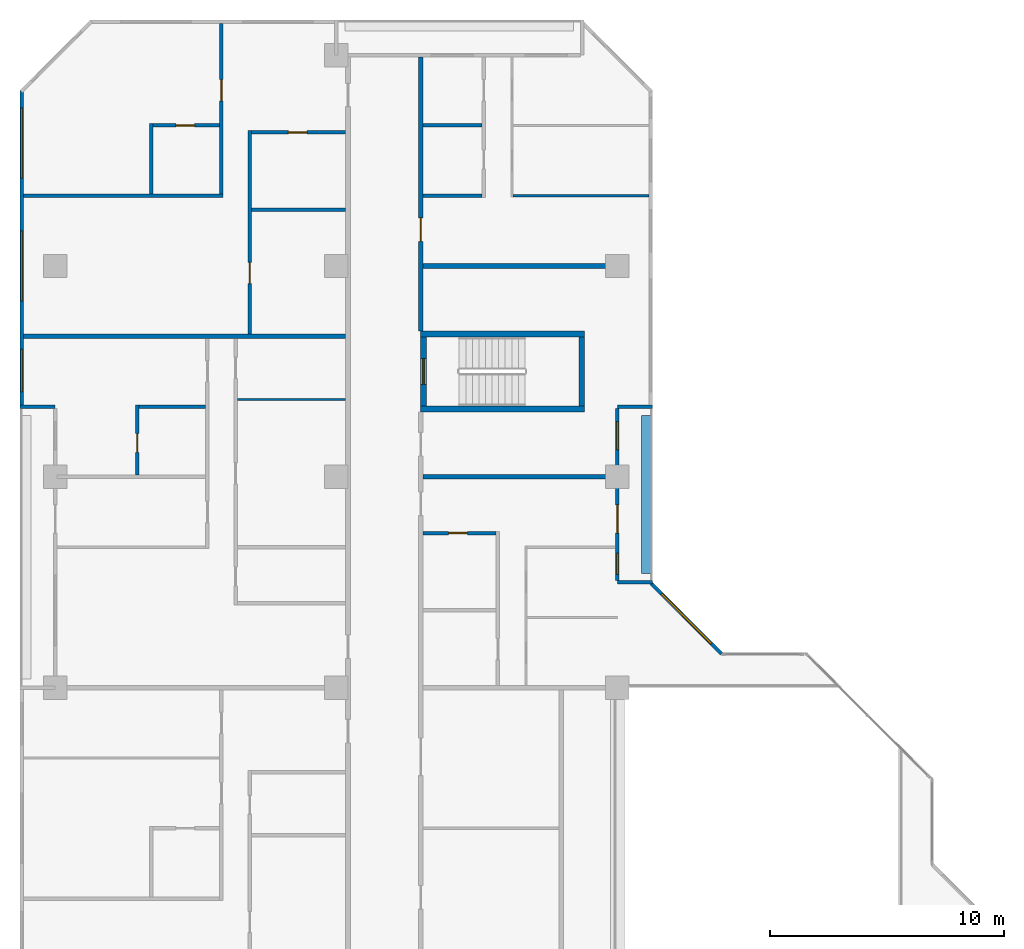
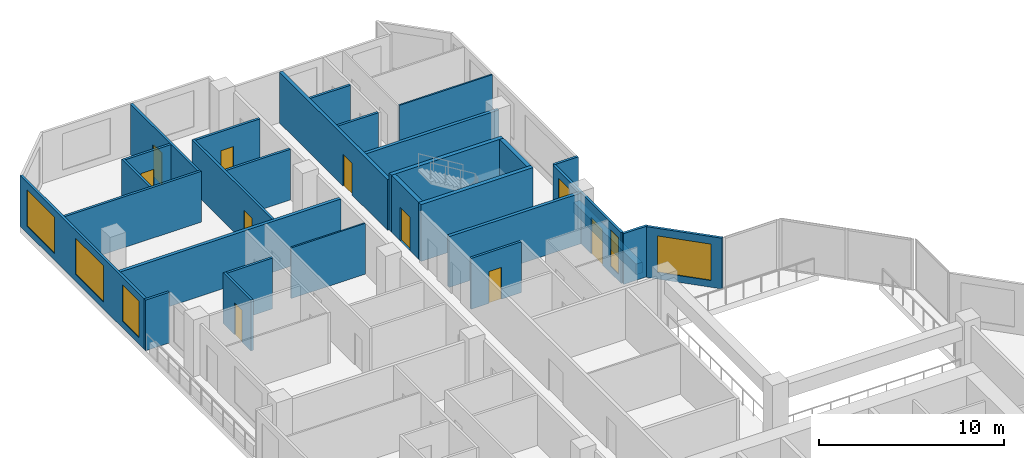
# One storey, part 10 of 15: 29 walls, 9 doors, 6 windows, 15 openings.
"""IFC4 building model written with IfcOpenShell, lengths in metres."""

from ifc_helpers import new_model, si_unit, direction, frame, frame_2d, origin, place, context, subcontext, project, spatial, rectangle, extrude, material, layer, layer_set, type_object, element, fill, save


model = new_model("IFC4")

# Units and contexts
model_context = context("Model", 3, precision=1e-05, world=origin(), true_north=direction((0.0, 1.0)))
body_context = subcontext(model_context, "Body", "Model", "MODEL_VIEW")
ifc_project = project(units=[si_unit("LENGTHUNIT", "METRE"), si_unit("AREAUNIT", "SQUARE_METRE"), si_unit("VOLUMEUNIT", "CUBIC_METRE"), si_unit("PLANEANGLEUNIT", "RADIAN"), si_unit("MASSUNIT", "GRAM", prefix="KILO")], contexts=[model_context])

# Site, building, storey
site_placement = place(None, origin())
site = spatial("IfcSite", under=ifc_project, at=site_placement, CompositionType="ELEMENT")
building_placement = place(site_placement, origin())
building = spatial("IfcBuilding", under=site, at=building_placement, Name="Chenar Terraces", CompositionType="ELEMENT")
storey_placement = place(building_placement, frame((0.0, 0.0, 133.14990234375)))
storey = spatial("IfcBuildingStorey", under=building, at=storey_placement, Name="L31", CompositionType="ELEMENT", Elevation=133.14990234375)

# Walls
ifc_material_1 = material(Name="Concrete C70/85", Category="concrete")
ifc_layer_1 = layer(ifc_material_1, 0.25)
ifc_layer_set_1 = layer_set([ifc_layer_1], Name="Concrete C70/85")
wall_type_1 = type_object("IfcWallType", Name="Core wall 250 Concrete C70/85", PredefinedType="SHEAR", material=ifc_layer_set_1)
for number, where, z_axis, x_axis, name in (
    (1, (15.60009765625, 47.89990234375, 0.0), (0.0, 0.0, 1.0), (1.0, 0.0, 0.0), "Core wall ST4_S L31"),
    (2, (15.60009765625, 51.10009765625, 0.0), (0.0, 0.0, 1.0), (1.0, 0.0, 0.0), "Core wall ST4_N L31"),
):
    element("IfcWall", number, at=place(storey_placement, frame(where, z_axis=z_axis, x_axis=x_axis)), inside=storey, type_object=wall_type_1, Name=name, PredefinedType="SHEAR", context=body_context, shape_type="SweptSolid", body=[
        extrude(rectangle(XDim=7.0, YDim=0.25, at=frame_2d((3.5, 0.0))), origin(), (0.0, 0.0, 1.0), 3.75),
    ])

# Wall, opening, door
wall_1_placement = place(storey_placement, frame((15.72509765625, 48.02490234375, 0.0), z_axis=(0.0, 0.0, 1.0), x_axis=(0.0, 1.0, 0.0)))
wall_1 = element("IfcWall", 3, at=wall_1_placement, inside=storey, type_object=wall_type_1, Name="Core wall ST4_W L31", PredefinedType="SHEAR", context=body_context, shape_type="SweptSolid", body=[
    extrude(rectangle(XDim=2.9501953125, YDim=0.25, at=frame_2d((1.47509765625, 0.0))), origin(), (0.0, 0.0, 1.0), 3.75),
])
opening_1_placement = place(wall_1_placement, frame((0.925048828125, 0.0, 0.0)))
opening_1 = element("IfcOpeningElement", 4, at=opening_1_placement, cuts=wall_1, Name="Opening DL31-C9", PredefinedType="OPENING", context=body_context, shape_type="SweptSolid", body=[
    extrude(rectangle(XDim=1.10009765625, YDim=2.199951171875, at=frame_2d((0.550048828125, 1.10009765625))), frame((0.0, 0.135009765625, 0.0), z_axis=(0.0, -1.0, 0.0), x_axis=(1.0, 0.0, 0.0)), (0.0, 0.0, 1.0), 0.27001953125),
])
ifc_material_2 = material(Name="Steel-framed fire-resisting door leaf", Category="steel")
door_type_1 = type_object("IfcDoorType", Name="Stair fire door FD60 1100 x 2200", OperationType="SINGLE_SWING_LEFT", PredefinedType="DOOR", material=ifc_material_2)
door_1_placement = place(opening_1_placement, frame((1.10009765625, 0.0, 0.0), z_axis=(0.0, 0.0, 1.0), x_axis=(-1.0, 0.0, 0.0)))
door_1 = element("IfcDoor", 5, at=door_1_placement, inside=storey, type_object=door_type_1, Name="Stair door DL31-C9", OperationType="SINGLE_SWING_RIGHT", OverallHeight=2.199951171875, OverallWidth=1.10009765625, PredefinedType="DOOR", context=body_context, shape_type="SweptSolid", body=[
    extrude(rectangle(XDim=1.10009765625, YDim=2.199951171875, at=frame_2d((0.550048828125, 1.10009765625))), frame((0.0, 0.02490234375, 0.0), z_axis=(0.0, -1.0, 0.0), x_axis=(1.0, 0.0, 0.0)), (0.0, 0.0, 1.0), 0.050048828125),
])
fill(opening_1, door_1)

# Wall
wall_2_placement = place(storey_placement, frame((22.47509765625, 48.02490234375, 0.0), z_axis=(0.0, 0.0, 1.0), x_axis=(0.0, 1.0, 0.0)))
element("IfcWall", 6, at=wall_2_placement, inside=storey, type_object=wall_type_1, Name="Core wall ST4_E L31", PredefinedType="SHEAR", context=body_context, shape_type="SweptSolid", body=[
    extrude(rectangle(XDim=2.9501953125, YDim=0.25, at=frame_2d((1.47509765625, 0.0))), origin(), (0.0, 0.0, 1.0), 3.75),
])

# Wall, opening, door
ifc_material_3 = material(Name="Gypsum board on steel studs with fire boards", Category="steel")
ifc_layer_2 = layer(ifc_material_3, 0.199951171875)
ifc_layer_set_2 = layer_set([ifc_layer_2], Name="Gypsum board on steel studs with fire boards")
wall_type_2 = type_object("IfcWallType", Name="Corridor wall 200", PredefinedType="PARTITIONING", material=ifc_layer_set_2)
wall_3_placement = place(storey_placement, frame((15.60009765625, 51.22509765625, 0.0), z_axis=(0.0, 0.0, 1.0), x_axis=(0.0, 1.0, 0.0)))
wall_3 = element("IfcWall", 7, at=wall_3_placement, inside=storey, type_object=wall_type_2, Name="Partition L31-038", PredefinedType="PARTITIONING", context=body_context, shape_type="SweptSolid", body=[
    extrude(rectangle(XDim=11.700927734375, YDim=0.199951171875, at=frame_2d((5.8505859375, 0.0))), origin(), (0.0, 0.0, 1.0), 3.35009765625),
])
opening_2_placement = place(wall_3_placement, frame((3.824951171875, 0.0, 0.0)))
opening_2 = element("IfcOpeningElement", 8, at=opening_2_placement, cuts=wall_3, Name="Opening DL31-37", PredefinedType="OPENING", context=body_context, shape_type="SweptSolid", body=[
    extrude(rectangle(XDim=1.0, YDim=2.10009765625, at=frame_2d((0.5, 1.050048828125))), frame((0.0, 0.10986328125, 0.0), z_axis=(0.0, -1.0, 0.0), x_axis=(1.0, 0.0, 0.0)), (0.0, 0.0, 1.0), 0.219970703125),
])
ifc_material_4 = material(Name="Steel-framed fire-resisting door leaf", Category="steel")
door_type_2 = type_object("IfcDoorType", Name="Fire door FD30S 1000 x 2100", OperationType="SINGLE_SWING_LEFT", PredefinedType="DOOR", material=ifc_material_4)
door_2_placement = place(opening_2_placement, frame((1.0, 0.0, 0.0), z_axis=(0.0, 0.0, 1.0), x_axis=(-1.0, 0.0, 0.0)))
door_2 = element("IfcDoor", 9, at=door_2_placement, inside=storey, type_object=door_type_2, Name="Door DL31-37", OperationType="SINGLE_SWING_LEFT", OverallHeight=2.10009765625, OverallWidth=1.0, PredefinedType="DOOR", context=body_context, shape_type="SweptSolid", body=[
    extrude(rectangle(XDim=1.0, YDim=2.10009765625, at=frame_2d((0.5, 1.050048828125))), frame((0.0, 0.02490234375, 0.0), z_axis=(0.0, -1.0, 0.0), x_axis=(1.0, 0.0, 0.0)), (0.0, 0.0, 1.0), 0.050048828125),
])
fill(opening_2, door_2)

# Wall, openings, windows
ifc_material_5 = material(Name="Aluminium framed glazing", Category="aluminium")
ifc_layer_3 = layer(ifc_material_5, 0.14990234375)
ifc_layer_set_3 = layer_set([ifc_layer_3], Name="Aluminium framed glazing")
wall_type_3 = type_object("IfcWallType", Name="Glazed flush facade wall 150", PredefinedType="SOLIDWALL", material=ifc_layer_set_3)
wall_4_placement = place(storey_placement, frame((-1.425048828125, 61.5, 0.0), z_axis=(0.0, 0.0, 1.0), x_axis=(0.0, -1.0, 0.0)))
wall_4 = element("IfcWall", 10, at=wall_4_placement, inside=storey, type_object=wall_type_3, Name="Glazed flush facade wall", PredefinedType="SOLIDWALL", context=body_context, shape_type="SweptSolid", body=[
    extrude(rectangle(XDim=13.425048828125, YDim=0.14990234375, at=frame_2d((6.71240234375, 0.0))), origin(), (0.0, 0.0, 1.0), 3.35009765625),
])
opening_3_placement = place(wall_4_placement, frame((0.75, 0.0, 0.449951171875)))
opening_3 = element("IfcOpeningElement", 11, at=opening_3_placement, cuts=wall_4, Name="Opening W300x240", PredefinedType="OPENING", context=body_context, shape_type="SweptSolid", body=[
    extrude(rectangle(XDim=3.0, YDim=2.39990234375, at=frame_2d((1.5, 1.199951171875))), frame((0.0, 0.0849609375, 0.0), z_axis=(0.0, -1.0, 0.0), x_axis=(1.0, 0.0, 0.0)), (0.0, 0.0, 1.0), 0.169921875),
])
opening_4_placement = place(wall_4_placement, frame((6.0, 0.0, 0.449951171875)))
opening_4 = element("IfcOpeningElement", 12, at=opening_4_placement, cuts=wall_4, Name="Opening W300x240", PredefinedType="OPENING", context=body_context, shape_type="SweptSolid", body=[
    extrude(rectangle(XDim=3.0, YDim=2.39990234375, at=frame_2d((1.5, 1.199951171875))), frame((0.0, 0.0849609375, 0.0), z_axis=(0.0, -1.0, 0.0), x_axis=(1.0, 0.0, 0.0)), (0.0, 0.0, 1.0), 0.169921875),
])
opening_5_placement = place(wall_4_placement, frame((11.0625, 0.0, 0.449951171875)))
opening_5 = element("IfcOpeningElement", 13, at=opening_5_placement, cuts=wall_4, Name="Opening W180x240", PredefinedType="OPENING", context=body_context, shape_type="SweptSolid", body=[
    extrude(rectangle(XDim=1.800048828125, YDim=2.39990234375, at=frame_2d((0.89990234375, 1.199951171875))), frame((0.0, 0.0849609375, 0.0), z_axis=(0.0, -1.0, 0.0), x_axis=(1.0, 0.0, 0.0)), (0.0, 0.0, 1.0), 0.169921875),
])
ifc_material_6 = material(Name="Low emissivity double glazing, aluminium frame", Category="aluminium")
window_type_1 = type_object("IfcWindowType", Name="Fixed light 1800 x 2400", PartitioningType="SINGLE_PANEL", PredefinedType="WINDOW", material=ifc_material_6)
window_1_placement = place(opening_5_placement, origin())
window_1 = element("IfcWindow", 14, at=window_1_placement, inside=storey, type_object=window_type_1, Name="Window", OverallHeight=2.39990234375, OverallWidth=1.800048828125, PartitioningType="SINGLE_PANEL", PredefinedType="WINDOW", context=body_context, shape_type="SweptSolid", body=[
    extrude(rectangle(XDim=1.800048828125, YDim=2.39990234375, at=frame_2d((0.89990234375, 1.199951171875))), frame((0.0, 0.030029296875, 0.0), z_axis=(0.0, -1.0, 0.0), x_axis=(1.0, 0.0, 0.0)), (0.0, 0.0, 1.0), 0.06005859375),
])
fill(opening_5, window_1)
ifc_material_7 = material(Name="Low emissivity double glazing, aluminium frame", Category="aluminium")
window_type_2 = type_object("IfcWindowType", Name="Fixed light 3000 x 2400", PartitioningType="SINGLE_PANEL", PredefinedType="WINDOW", material=ifc_material_7)
window_2_placement = place(opening_3_placement, origin())
window_2 = element("IfcWindow", 15, at=window_2_placement, inside=storey, type_object=window_type_2, Name="Window", OverallHeight=2.39990234375, OverallWidth=3.0, PartitioningType="SINGLE_PANEL", PredefinedType="WINDOW", context=body_context, shape_type="SweptSolid", body=[
    extrude(rectangle(XDim=3.0, YDim=2.39990234375, at=frame_2d((1.5, 1.199951171875))), frame((0.0, 0.030029296875, 0.0), z_axis=(0.0, -1.0, 0.0), x_axis=(1.0, 0.0, 0.0)), (0.0, 0.0, 1.0), 0.06005859375),
])
fill(opening_3, window_2)
window_3_placement = place(opening_4_placement, origin())
window_3 = element("IfcWindow", 16, at=window_3_placement, inside=storey, type_object=window_type_2, Name="Window", OverallHeight=2.39990234375, OverallWidth=3.0, PartitioningType="SINGLE_PANEL", PredefinedType="WINDOW", context=body_context, shape_type="SweptSolid", body=[
    extrude(rectangle(XDim=3.0, YDim=2.39990234375, at=frame_2d((1.5, 1.199951171875))), frame((0.0, 0.030029296875, 0.0), z_axis=(0.0, -1.0, 0.0), x_axis=(1.0, 0.0, 0.0)), (0.0, 0.0, 1.0), 0.06005859375),
])
fill(opening_4, window_3)

# Wall, openings, windows, door
ifc_material_8 = material(Name="Aluminium framed glazing", Category="aluminium")
ifc_layer_4 = layer(ifc_material_8, 0.14990234375)
ifc_layer_set_4 = layer_set([ifc_layer_4], Name="Aluminium framed glazing")
wall_type_4 = type_object("IfcWallType", Name="Glazed loggia back wall 150", PredefinedType="SOLIDWALL", material=ifc_layer_set_4)
wall_5_placement = place(storey_placement, frame((24.0, 40.574951171875, 0.0), z_axis=(0.0, 0.0, 1.0), x_axis=(0.0, 1.0, 0.0)))
wall_5 = element("IfcWall", 17, at=wall_5_placement, inside=storey, type_object=wall_type_4, Name="Glazed loggia back wall", PredefinedType="SOLIDWALL", context=body_context, shape_type="SweptSolid", body=[
    extrude(rectangle(XDim=7.35009765625, YDim=0.14990234375, at=frame_2d((3.675048828125, 0.0))), origin(), (0.0, 0.0, 1.0), 3.35009765625),
])
opening_6_placement = place(wall_5_placement, frame((0.262451171875, 0.0, 0.449951171875)))
opening_6 = element("IfcOpeningElement", 18, at=opening_6_placement, cuts=wall_5, Name="Opening W90x240", PredefinedType="OPENING", context=body_context, shape_type="SweptSolid", body=[
    extrude(rectangle(XDim=0.89990234375, YDim=2.39990234375, at=frame_2d((0.449951171875, 1.199951171875))), frame((0.0, 0.0849609375, 0.0), z_axis=(0.0, -1.0, 0.0), x_axis=(1.0, 0.0, 0.0)), (0.0, 0.0, 1.0), 0.169921875),
])
opening_7_placement = place(wall_5_placement, frame((2.02490234375, 0.0, 0.0)))
opening_7 = element("IfcOpeningElement", 19, at=opening_7_placement, cuts=wall_5, Name="Opening DL31-G2", PredefinedType="OPENING", context=body_context, shape_type="SweptSolid", body=[
    extrude(rectangle(XDim=1.199951171875, YDim=2.39990234375, at=frame_2d((0.60009765625, 1.199951171875))), frame((0.0, 0.0849609375, 0.0), z_axis=(0.0, -1.0, 0.0), x_axis=(1.0, 0.0, 0.0)), (0.0, 0.0, 1.0), 0.169921875),
])
opening_8_placement = place(wall_5_placement, frame((5.58740234375, 0.0, 0.449951171875)))
opening_8 = element("IfcOpeningElement", 20, at=opening_8_placement, cuts=wall_5, Name="Opening W120x240", PredefinedType="OPENING", context=body_context, shape_type="SweptSolid", body=[
    extrude(rectangle(XDim=1.199951171875, YDim=2.39990234375, at=frame_2d((0.60009765625, 1.199951171875))), frame((0.0, 0.0849609375, 0.0), z_axis=(0.0, -1.0, 0.0), x_axis=(1.0, 0.0, 0.0)), (0.0, 0.0, 1.0), 0.169921875),
])
ifc_material_9 = material(Name="Low emissivity double glazing, aluminium frame", Category="aluminium")
window_type_3 = type_object("IfcWindowType", Name="Fixed light 1200 x 2400", PartitioningType="SINGLE_PANEL", PredefinedType="WINDOW", material=ifc_material_9)
window_4_placement = place(opening_8_placement, origin())
window_4 = element("IfcWindow", 21, at=window_4_placement, inside=storey, type_object=window_type_3, Name="Window", OverallHeight=2.39990234375, OverallWidth=1.199951171875, PartitioningType="SINGLE_PANEL", PredefinedType="WINDOW", context=body_context, shape_type="SweptSolid", body=[
    extrude(rectangle(XDim=1.199951171875, YDim=2.39990234375, at=frame_2d((0.60009765625, 1.199951171875))), frame((0.0, 0.030029296875, 0.0), z_axis=(0.0, -1.0, 0.0), x_axis=(1.0, 0.0, 0.0)), (0.0, 0.0, 1.0), 0.06005859375),
])
fill(opening_8, window_4)
ifc_material_10 = material(Name="Low emissivity double glazing, aluminium frame", Category="aluminium")
window_type_4 = type_object("IfcWindowType", Name="Fixed light 900 x 2400", PartitioningType="SINGLE_PANEL", PredefinedType="WINDOW", material=ifc_material_10)
window_5_placement = place(opening_6_placement, origin())
window_5 = element("IfcWindow", 22, at=window_5_placement, inside=storey, type_object=window_type_4, Name="Window", OverallHeight=2.39990234375, OverallWidth=0.89990234375, PartitioningType="SINGLE_PANEL", PredefinedType="WINDOW", context=body_context, shape_type="SweptSolid", body=[
    extrude(rectangle(XDim=0.89990234375, YDim=2.39990234375, at=frame_2d((0.449951171875, 1.199951171875))), frame((0.0, 0.030029296875, 0.0), z_axis=(0.0, -1.0, 0.0), x_axis=(1.0, 0.0, 0.0)), (0.0, 0.0, 1.0), 0.06005859375),
])
fill(opening_6, window_5)
ifc_material_11 = material(Name="Low emissivity double glazing, aluminium frame", Category="aluminium")
door_type_3 = type_object("IfcDoorType", Name="Loggia glazed double door 1200 x 2400", OperationType="DOUBLE_DOOR_SINGLE_SWING", PredefinedType="DOOR", material=ifc_material_11)
door_3_placement = place(opening_7_placement, frame((1.199951171875, 0.0, 0.0), z_axis=(0.0, 0.0, 1.0), x_axis=(-1.0, 0.0, 0.0)))
door_3 = element("IfcDoor", 23, at=door_3_placement, inside=storey, type_object=door_type_3, Name="Loggia glazed door", OperationType="DOUBLE_DOOR_SINGLE_SWING", OverallHeight=2.39990234375, OverallWidth=1.199951171875, PredefinedType="DOOR", context=body_context, shape_type="SweptSolid", body=[
    extrude(rectangle(XDim=1.199951171875, YDim=2.39990234375, at=frame_2d((0.60009765625, 1.199951171875))), frame((0.0, 0.02490234375, 0.0), z_axis=(0.0, -1.0, 0.0), x_axis=(1.0, 0.0, 0.0)), (0.0, 0.0, 1.0), 0.050048828125),
])
fill(opening_7, door_3)

# Walls
ifc_material_12 = material(Name="Gypsum board on steel studs", Category="steel")
ifc_layer_5 = layer(ifc_material_12, 0.10009765625)
ifc_layer_set_5 = layer_set([ifc_layer_5], Name="Gypsum board on steel studs")
wall_type_5 = type_object("IfcWallType", Name="Gypsum partition 100", PredefinedType="PARTITIONING", material=ifc_layer_set_5)
wall_6_placement = place(storey_placement, frame((7.77490234375, 48.300048828125, 0.0), z_axis=(0.0, 0.0, 1.0), x_axis=(1.0, 0.0, 0.0)))
element("IfcWall", 24, at=wall_6_placement, inside=storey, type_object=wall_type_5, Name="Partition L31-023", PredefinedType="PARTITIONING", context=body_context, shape_type="SweptSolid", body=[
    extrude(rectangle(XDim=4.625, YDim=0.10009765625, at=frame_2d((2.3125, 0.0))), origin(), (0.0, 0.0, 1.0), 3.35009765625),
])
wall_7_placement = place(storey_placement, frame((19.550048828125, 57.0, 0.0), z_axis=(0.0, 0.0, 1.0), x_axis=(1.0, 0.0, 0.0)))
element("IfcWall", 25, at=wall_7_placement, inside=storey, type_object=wall_type_5, Name="Partition L31-052", PredefinedType="PARTITIONING", context=body_context, shape_type="SweptSolid", body=[
    extrude(rectangle(XDim=5.800048828125, YDim=0.10009765625, at=frame_2d((2.89990234375, 0.0))), origin(), (0.0, 0.0, 1.0), 3.35009765625),
])
ifc_material_13 = material(Name="Terracotta cladding on insulated backing", Category="masonry")
ifc_layer_6 = layer(ifc_material_13, 0.14990234375)
ifc_layer_set_6 = layer_set([ifc_layer_6], Name="Terracotta cladding on insulated backing")
wall_type_6 = type_object("IfcWallType", Name="Loggia return wall 150", PredefinedType="SOLIDWALL", material=ifc_layer_set_6)
for number, where, z_axis, x_axis, name in (
    (26, (25.5, 40.5, 0.0), (0.0, 0.0, 1.0), (-1.0, 0.0, 0.0), "Loggia return wall"),
    (27, (25.5, 48.0, 0.0), (0.0, 0.0, 1.0), (-1.0, 0.0, 0.0), "Loggia return wall"),
    (28, (-1.5, 48.0, 0.0), (0.0, 0.0, 1.0), (1.0, 0.0, 0.0), "Loggia return wall"),
):
    element("IfcWall", number, at=place(storey_placement, frame(where, z_axis=z_axis, x_axis=x_axis)), inside=storey, type_object=wall_type_6, Name=name, PredefinedType="SOLIDWALL", context=body_context, shape_type="SweptSolid", body=[
        extrude(rectangle(XDim=1.5, YDim=0.14990234375, at=frame_2d((0.75, 0.0))), origin(), (0.0, 0.0, 1.0), 3.35009765625),
    ])

# Wall, opening, window
ifc_material_14 = material(Name="Terracotta cladding on insulated backing", Category="masonry")
ifc_layer_7 = layer(ifc_material_14, 0.14990234375)
ifc_layer_set_7 = layer_set([ifc_layer_7], Name="Terracotta cladding on insulated backing")
wall_type_7 = type_object("IfcWallType", Name="Terracotta rainscreen wall 150", PredefinedType="SOLIDWALL", material=ifc_layer_set_7)
wall_8_placement = place(storey_placement, frame((28.447021484375, 37.447021484375, 0.0), z_axis=(0.0, 0.0, 1.0), x_axis=(-0.707106781187, 0.707106781187, 0.0)))
wall_8 = element("IfcWall", 29, at=wall_8_placement, inside=storey, type_object=wall_type_7, Name="Terracotta rainscreen wall", PredefinedType="SOLIDWALL", context=body_context, shape_type="SweptSolid", body=[
    extrude(rectangle(XDim=4.24267578125, YDim=0.14990234375, at=frame_2d((2.121337890625, 0.0))), origin(), (0.0, 0.0, 1.0), 3.35009765625),
])
opening_9_placement = place(wall_8_placement, frame((0.621337890625, 0.0, 0.449951171875)))
opening_9 = element("IfcOpeningElement", 30, at=opening_9_placement, cuts=wall_8, Name="Opening W300x240", PredefinedType="OPENING", context=body_context, shape_type="SweptSolid", body=[
    extrude(rectangle(XDim=3.0, YDim=2.39990234375, at=frame_2d((1.5, 1.199951171875))), frame((0.0, 0.0849609375, 0.0), z_axis=(0.0, -1.0, 0.0), x_axis=(1.0, 0.0, 0.0)), (0.0, 0.0, 1.0), 0.169921875),
])
window_6_placement = place(opening_9_placement, origin())
window_6 = element("IfcWindow", 31, at=window_6_placement, inside=storey, type_object=window_type_2, Name="Window", OverallHeight=2.39990234375, OverallWidth=3.0, PartitioningType="SINGLE_PANEL", PredefinedType="WINDOW", context=body_context, shape_type="SweptSolid", body=[
    extrude(rectangle(XDim=3.0, YDim=2.39990234375, at=frame_2d((1.5, 1.199951171875))), frame((0.0, 0.030029296875, 0.0), z_axis=(0.0, -1.0, 0.0), x_axis=(1.0, 0.0, 0.0)), (0.0, 0.0, 1.0), 0.06005859375),
])
fill(opening_9, window_6)

# Walls
ifc_material_15 = material(Name="Twin gypsum board on steel studs with mineral wool", Category="steel")
ifc_layer_8 = layer(ifc_material_15, 0.199951171875)
ifc_layer_set_8 = layer_set([ifc_layer_8], Name="Twin gypsum board on steel studs with mineral wool")
wall_type_8 = type_object("IfcWallType", Name="Unit demising wall 200", PredefinedType="PARTITIONING", material=ifc_layer_set_8)
wall_9_placement = place(storey_placement, frame((-1.35009765625, 51.0, 0.0), z_axis=(0.0, 0.0, 1.0), x_axis=(1.0, 0.0, 0.0)))
element("IfcWall", 32, at=wall_9_placement, inside=storey, type_object=wall_type_8, Name="Partition L31-004", PredefinedType="PARTITIONING", context=body_context, shape_type="SweptSolid", body=[
    extrude(rectangle(XDim=13.75, YDim=0.199951171875, at=frame_2d((6.875, 0.0))), origin(), (0.0, 0.0, 1.0), 3.35009765625),
])
wall_10_placement = place(storey_placement, frame((15.699951171875, 45.0, 0.0), z_axis=(0.0, 0.0, 1.0), x_axis=(1.0, 0.0, 0.0)))
element("IfcWall", 33, at=wall_10_placement, inside=storey, type_object=wall_type_8, Name="Partition L31-044", PredefinedType="PARTITIONING", context=body_context, shape_type="SweptSolid", body=[
    extrude(rectangle(XDim=8.22607421875, YDim=0.199951171875, at=frame_2d((4.113037109375, 0.0))), origin(), (0.0, 0.0, 1.0), 3.35009765625),
])
wall_11_placement = place(storey_placement, frame((15.699951171875, 54.0, 0.0), z_axis=(0.0, 0.0, 1.0), x_axis=(1.0, 0.0, 0.0)))
element("IfcWall", 34, at=wall_11_placement, inside=storey, type_object=wall_type_8, Name="Partition L31-045", PredefinedType="PARTITIONING", context=body_context, shape_type="SweptSolid", body=[
    extrude(rectangle(XDim=8.300048828125, YDim=0.199951171875, at=frame_2d((4.14990234375, 0.0))), origin(), (0.0, 0.0, 1.0), 3.35009765625),
])
ifc_material_16 = material(Name="GRP planter trough")
ifc_layer_9 = layer(ifc_material_16, 0.39990234375)
ifc_layer_set_9 = layer_set([ifc_layer_9], Name="GRP planter trough")
wall_type_9 = type_object("IfcWallType", Name="Vertical greenery planter 400", PredefinedType="SOLIDWALL", material=ifc_layer_set_9)
wall_12_placement = place(storey_placement, frame((25.22900390625, 40.875, 0.0), z_axis=(0.0, 0.0, 1.0), x_axis=(0.0, 1.0, 0.0)))
element("IfcWall", 35, at=wall_12_placement, inside=storey, type_object=wall_type_9, Name="Vertical greenery planter", PredefinedType="SOLIDWALL", context=body_context, shape_type="SweptSolid", body=[
    extrude(rectangle(XDim=6.75, YDim=0.39990234375, at=frame_2d((3.375, 0.0))), origin(), (0.0, 0.0, 1.0), 0.7001953125),
])
ifc_material_17 = material(Name="Moisture-resistant gypsum board on steel studs", Category="steel")
ifc_layer_10 = layer(ifc_material_17, 0.14990234375)
ifc_layer_set_10 = layer_set([ifc_layer_10], Name="Moisture-resistant gypsum board on steel studs")
wall_type_10 = type_object("IfcWallType", Name="Wet-room partition 150", PredefinedType="PARTITIONING", material=ifc_layer_set_10)
wall_13_placement = place(storey_placement, frame((-1.35009765625, 57.0, 0.0), z_axis=(0.0, 0.0, 1.0), x_axis=(1.0, 0.0, 0.0)))
element("IfcWall", 36, at=wall_13_placement, inside=storey, type_object=wall_type_10, Name="Partition L31-005", PredefinedType="PARTITIONING", context=body_context, shape_type="SweptSolid", body=[
    extrude(rectangle(XDim=8.525146484375, YDim=0.14990234375, at=frame_2d((4.2626953125, 0.0))), origin(), (0.0, 0.0, 1.0), 3.35009765625),
])

# Wall, opening, door
wall_14_placement = place(storey_placement, frame((3.5, 45.074951171875, 0.0), z_axis=(0.0, 0.0, 1.0), x_axis=(0.0, 1.0, 0.0)))
wall_14 = element("IfcWall", 37, at=wall_14_placement, inside=storey, type_object=wall_type_10, Name="Partition L31-011", PredefinedType="PARTITIONING", context=body_context, shape_type="SweptSolid", body=[
    extrude(rectangle(XDim=3.0, YDim=0.14990234375, at=frame_2d((1.5, 0.0))), origin(), (0.0, 0.0, 1.0), 3.35009765625),
])
opening_10_placement = place(wall_14_placement, frame((0.97509765625, 0.0, 0.0)))
opening_10 = element("IfcOpeningElement", 38, at=opening_10_placement, cuts=wall_14, Name="Opening DL31-41", PredefinedType="OPENING", context=body_context, shape_type="SweptSolid", body=[
    extrude(rectangle(XDim=0.800048828125, YDim=2.10009765625, at=frame_2d((0.39990234375, 1.050048828125))), frame((0.0, 0.0849609375, 0.0), z_axis=(0.0, -1.0, 0.0), x_axis=(1.0, 0.0, 0.0)), (0.0, 0.0, 1.0), 0.169921875),
])
ifc_material_18 = material(Name="Veneered timber door leaf", Category="wood")
door_type_4 = type_object("IfcDoorType", Name="Door 800 x 2100", OperationType="SINGLE_SWING_LEFT", PredefinedType="DOOR", material=ifc_material_18)
door_4_placement = place(opening_10_placement, frame((0.800048828125, 0.0, 0.0), z_axis=(0.0, 0.0, 1.0), x_axis=(-1.0, 0.0, 0.0)))
door_4 = element("IfcDoor", 39, at=door_4_placement, inside=storey, type_object=door_type_4, Name="Door DL31-41", OperationType="SINGLE_SWING_RIGHT", OverallHeight=2.10009765625, OverallWidth=0.800048828125, PredefinedType="DOOR", context=body_context, shape_type="SweptSolid", body=[
    extrude(rectangle(XDim=0.800048828125, YDim=2.10009765625, at=frame_2d((0.39990234375, 1.050048828125))), frame((0.0, 0.02490234375, 0.0), z_axis=(0.0, -1.0, 0.0), x_axis=(1.0, 0.0, 0.0)), (0.0, 0.0, 1.0), 0.050048828125),
])
fill(opening_10, door_4)

# Walls
wall_15_placement = place(storey_placement, frame((3.574951171875, 48.0, 0.0), z_axis=(0.0, 0.0, 1.0), x_axis=(1.0, 0.0, 0.0)))
element("IfcWall", 40, at=wall_15_placement, inside=storey, type_object=wall_type_10, Name="Partition L31-012", PredefinedType="PARTITIONING", context=body_context, shape_type="SweptSolid", body=[
    extrude(rectangle(XDim=2.85009765625, YDim=0.14990234375, at=frame_2d((1.425048828125, 0.0))), origin(), (0.0, 0.0, 1.0), 3.35009765625),
])
wall_16_placement = place(storey_placement, frame((4.10009765625, 57.074951171875, 0.0), z_axis=(0.0, 0.0, 1.0), x_axis=(0.0, 1.0, 0.0)))
element("IfcWall", 41, at=wall_16_placement, inside=storey, type_object=wall_type_10, Name="Partition L31-014", PredefinedType="PARTITIONING", context=body_context, shape_type="SweptSolid", body=[
    extrude(rectangle(XDim=3.0, YDim=0.14990234375, at=frame_2d((1.5, 0.0))), origin(), (0.0, 0.0, 1.0), 3.35009765625),
])

# Wall, opening, door
wall_17_placement = place(storey_placement, frame((4.175048828125, 60.0, 0.0), z_axis=(0.0, 0.0, 1.0), x_axis=(1.0, 0.0, 0.0)))
wall_17 = element("IfcWall", 42, at=wall_17_placement, inside=storey, type_object=wall_type_10, Name="Partition L31-016", PredefinedType="PARTITIONING", context=body_context, shape_type="SweptSolid", body=[
    extrude(rectangle(XDim=2.849853515625, YDim=0.14990234375, at=frame_2d((1.4248046875, 0.0))), origin(), (0.0, 0.0, 1.0), 3.35009765625),
])
opening_11_placement = place(wall_17_placement, frame((0.97509765625, 0.0, 0.0)))
opening_11 = element("IfcOpeningElement", 43, at=opening_11_placement, cuts=wall_17, Name="Opening DL31-47", PredefinedType="OPENING", context=body_context, shape_type="SweptSolid", body=[
    extrude(rectangle(XDim=0.800048828125, YDim=2.10009765625, at=frame_2d((0.39990234375, 1.050048828125))), frame((0.0, 0.0849609375, 0.0), z_axis=(0.0, -1.0, 0.0), x_axis=(1.0, 0.0, 0.0)), (0.0, 0.0, 1.0), 0.169921875),
])
door_5_placement = place(opening_11_placement, frame((0.800048828125, 0.0, 0.0), z_axis=(0.0, 0.0, 1.0), x_axis=(-1.0, 0.0, 0.0)))
door_5 = element("IfcDoor", 44, at=door_5_placement, inside=storey, type_object=door_type_4, Name="Door DL31-47", OperationType="SINGLE_SWING_RIGHT", OverallHeight=2.10009765625, OverallWidth=0.800048828125, PredefinedType="DOOR", context=body_context, shape_type="SweptSolid", body=[
    extrude(rectangle(XDim=0.800048828125, YDim=2.10009765625, at=frame_2d((0.39990234375, 1.050048828125))), frame((0.0, 0.02490234375, 0.0), z_axis=(0.0, -1.0, 0.0), x_axis=(1.0, 0.0, 0.0)), (0.0, 0.0, 1.0), 0.050048828125),
])
fill(opening_11, door_5)

wall_18_placement = place(storey_placement, frame((7.10009765625, 57.074951171875, 0.0), z_axis=(0.0, 0.0, 1.0), x_axis=(0.0, 1.0, 0.0)))
wall_18 = element("IfcWall", 45, at=wall_18_placement, inside=storey, type_object=wall_type_10, Name="Partition L31-019", PredefinedType="PARTITIONING", context=body_context, shape_type="SweptSolid", body=[
    extrude(rectangle(XDim=7.275146484375, YDim=0.14990234375, at=frame_2d((3.6376953125, 0.0))), origin(), (0.0, 0.0, 1.0), 3.35009765625),
])
opening_12_placement = place(wall_18_placement, frame((3.97509765625, 0.0, 0.0)))
opening_12 = element("IfcOpeningElement", 46, at=opening_12_placement, cuts=wall_18, Name="Opening DL31-46", PredefinedType="OPENING", context=body_context, shape_type="SweptSolid", body=[
    extrude(rectangle(XDim=0.89990234375, YDim=2.10009765625, at=frame_2d((0.449951171875, 1.050048828125))), frame((0.0, 0.0849609375, 0.0), z_axis=(0.0, -1.0, 0.0), x_axis=(1.0, 0.0, 0.0)), (0.0, 0.0, 1.0), 0.169921875),
])
ifc_material_19 = material(Name="Veneered timber door leaf", Category="wood")
door_type_5 = type_object("IfcDoorType", Name="Door 900 x 2100", OperationType="SINGLE_SWING_LEFT", PredefinedType="DOOR", material=ifc_material_19)
door_6_placement = place(opening_12_placement, origin())
door_6 = element("IfcDoor", 47, at=door_6_placement, inside=storey, type_object=door_type_5, Name="Door DL31-46", OperationType="SINGLE_SWING_LEFT", OverallHeight=2.10009765625, OverallWidth=0.89990234375, PredefinedType="DOOR", context=body_context, shape_type="SweptSolid", body=[
    extrude(rectangle(XDim=0.89990234375, YDim=2.10009765625, at=frame_2d((0.449951171875, 1.050048828125))), frame((0.0, 0.02490234375, 0.0), z_axis=(0.0, -1.0, 0.0), x_axis=(1.0, 0.0, 0.0)), (0.0, 0.0, 1.0), 0.050048828125),
])
fill(opening_12, door_6)

wall_19_placement = place(storey_placement, frame((8.300048828125, 51.10009765625, 0.0), z_axis=(0.0, 0.0, 1.0), x_axis=(0.0, 1.0, 0.0)))
wall_19 = element("IfcWall", 48, at=wall_19_placement, inside=storey, type_object=wall_type_10, Name="Partition L31-025", PredefinedType="PARTITIONING", context=body_context, shape_type="SweptSolid", body=[
    extrude(rectangle(XDim=8.6748046875, YDim=0.14990234375, at=frame_2d((4.33740234375, 0.0))), origin(), (0.0, 0.0, 1.0), 3.35009765625),
])
opening_13_placement = place(wall_19_placement, frame((2.14990234375, 0.0, 0.0)))
opening_13 = element("IfcOpeningElement", 49, at=opening_13_placement, cuts=wall_19, Name="Opening DL31-48", PredefinedType="OPENING", context=body_context, shape_type="SweptSolid", body=[
    extrude(rectangle(XDim=0.89990234375, YDim=2.10009765625, at=frame_2d((0.449951171875, 1.050048828125))), frame((0.0, 0.0849609375, 0.0), z_axis=(0.0, -1.0, 0.0), x_axis=(1.0, 0.0, 0.0)), (0.0, 0.0, 1.0), 0.169921875),
])
door_7_placement = place(opening_13_placement, frame((0.89990234375, 0.0, 0.0), z_axis=(0.0, 0.0, 1.0), x_axis=(-1.0, 0.0, 0.0)))
door_7 = element("IfcDoor", 50, at=door_7_placement, inside=storey, type_object=door_type_5, Name="Door DL31-48", OperationType="SINGLE_SWING_LEFT", OverallHeight=2.10009765625, OverallWidth=0.89990234375, PredefinedType="DOOR", context=body_context, shape_type="SweptSolid", body=[
    extrude(rectangle(XDim=0.89990234375, YDim=2.10009765625, at=frame_2d((0.449951171875, 1.050048828125))), frame((0.0, 0.02490234375, 0.0), z_axis=(0.0, -1.0, 0.0), x_axis=(1.0, 0.0, 0.0)), (0.0, 0.0, 1.0), 0.050048828125),
])
fill(opening_13, door_7)

# Wall
wall_20_placement = place(storey_placement, frame((8.375, 56.39990234375, 0.0), z_axis=(0.0, 0.0, 1.0), x_axis=(1.0, 0.0, 0.0)))
element("IfcWall", 51, at=wall_20_placement, inside=storey, type_object=wall_type_10, Name="Partition L31-028", PredefinedType="PARTITIONING", context=body_context, shape_type="SweptSolid", body=[
    extrude(rectangle(XDim=4.02490234375, YDim=0.14990234375, at=frame_2d((2.012451171875, 0.0))), origin(), (0.0, 0.0, 1.0), 3.35009765625),
])

# Wall, opening, door
wall_21_placement = place(storey_placement, frame((8.375, 59.699951171875, 0.0), z_axis=(0.0, 0.0, 1.0), x_axis=(1.0, 0.0, 0.0)))
wall_21 = element("IfcWall", 52, at=wall_21_placement, inside=storey, type_object=wall_type_10, Name="Partition L31-029", PredefinedType="PARTITIONING", context=body_context, shape_type="SweptSolid", body=[
    extrude(rectangle(XDim=4.02490234375, YDim=0.14990234375, at=frame_2d((2.012451171875, 0.0))), origin(), (0.0, 0.0, 1.0), 3.35009765625),
])
opening_14_placement = place(wall_21_placement, frame((1.574951171875, 0.0, 0.0)))
opening_14 = element("IfcOpeningElement", 53, at=opening_14_placement, cuts=wall_21, Name="Opening DL31-45", PredefinedType="OPENING", context=body_context, shape_type="SweptSolid", body=[
    extrude(rectangle(XDim=0.800048828125, YDim=2.10009765625, at=frame_2d((0.39990234375, 1.050048828125))), frame((0.0, 0.0849609375, 0.0), z_axis=(0.0, -1.0, 0.0), x_axis=(1.0, 0.0, 0.0)), (0.0, 0.0, 1.0), 0.169921875),
])
door_8_placement = place(opening_14_placement, frame((0.800048828125, 0.0, 0.0), z_axis=(0.0, 0.0, 1.0), x_axis=(-1.0, 0.0, 0.0)))
door_8 = element("IfcDoor", 54, at=door_8_placement, inside=storey, type_object=door_type_4, Name="Door DL31-45", OperationType="SINGLE_SWING_LEFT", OverallHeight=2.10009765625, OverallWidth=0.800048828125, PredefinedType="DOOR", context=body_context, shape_type="SweptSolid", body=[
    extrude(rectangle(XDim=0.800048828125, YDim=2.10009765625, at=frame_2d((0.39990234375, 1.050048828125))), frame((0.0, 0.02490234375, 0.0), z_axis=(0.0, -1.0, 0.0), x_axis=(1.0, 0.0, 0.0)), (0.0, 0.0, 1.0), 0.050048828125),
])
fill(opening_14, door_8)

wall_22_placement = place(storey_placement, frame((15.699951171875, 42.60009765625, 0.0), z_axis=(0.0, 0.0, 1.0), x_axis=(1.0, 0.0, 0.0)))
wall_22 = element("IfcWall", 55, at=wall_22_placement, inside=storey, type_object=wall_type_10, Name="Partition L31-043", PredefinedType="PARTITIONING", context=body_context, shape_type="SweptSolid", body=[
    extrude(rectangle(XDim=3.125, YDim=0.14990234375, at=frame_2d((1.5625, 0.0))), origin(), (0.0, 0.0, 1.0), 3.35009765625),
])
opening_15_placement = place(wall_22_placement, frame((1.10009765625, 0.0, 0.0)))
opening_15 = element("IfcOpeningElement", 56, at=opening_15_placement, cuts=wall_22, Name="Opening DL31-28", PredefinedType="OPENING", context=body_context, shape_type="SweptSolid", body=[
    extrude(rectangle(XDim=0.800048828125, YDim=2.10009765625, at=frame_2d((0.39990234375, 1.050048828125))), frame((0.0, 0.0849609375, 0.0), z_axis=(0.0, -1.0, 0.0), x_axis=(1.0, 0.0, 0.0)), (0.0, 0.0, 1.0), 0.169921875),
])
door_9_placement = place(opening_15_placement, frame((0.800048828125, 0.0, 0.0), z_axis=(0.0, 0.0, 1.0), x_axis=(-1.0, 0.0, 0.0)))
door_9 = element("IfcDoor", 57, at=door_9_placement, inside=storey, type_object=door_type_4, Name="Door DL31-28", OperationType="SINGLE_SWING_RIGHT", OverallHeight=2.10009765625, OverallWidth=0.800048828125, PredefinedType="DOOR", context=body_context, shape_type="SweptSolid", body=[
    extrude(rectangle(XDim=0.800048828125, YDim=2.10009765625, at=frame_2d((0.39990234375, 1.050048828125))), frame((0.0, 0.02490234375, 0.0), z_axis=(0.0, -1.0, 0.0), x_axis=(1.0, 0.0, 0.0)), (0.0, 0.0, 1.0), 0.050048828125),
])
fill(opening_15, door_9)

# Walls
for number, where, z_axis, x_axis, name in (
    (58, (15.699951171875, 57.0, 0.0), (0.0, 0.0, 1.0), (1.0, 0.0, 0.0), "Partition L31-046"),
    (59, (15.699951171875, 60.0, 0.0), (0.0, 0.0, 1.0), (1.0, 0.0, 0.0), "Partition L31-047"),
):
    element("IfcWall", number, at=place(storey_placement, frame(where, z_axis=z_axis, x_axis=x_axis)), inside=storey, type_object=wall_type_10, Name=name, PredefinedType="PARTITIONING", context=body_context, shape_type="SweptSolid", body=[
        extrude(rectangle(XDim=2.525146484375, YDim=0.14990234375, at=frame_2d((1.2626953125, 0.0))), origin(), (0.0, 0.0, 1.0), 3.35009765625),
    ])

save(model, "model.ifc")
